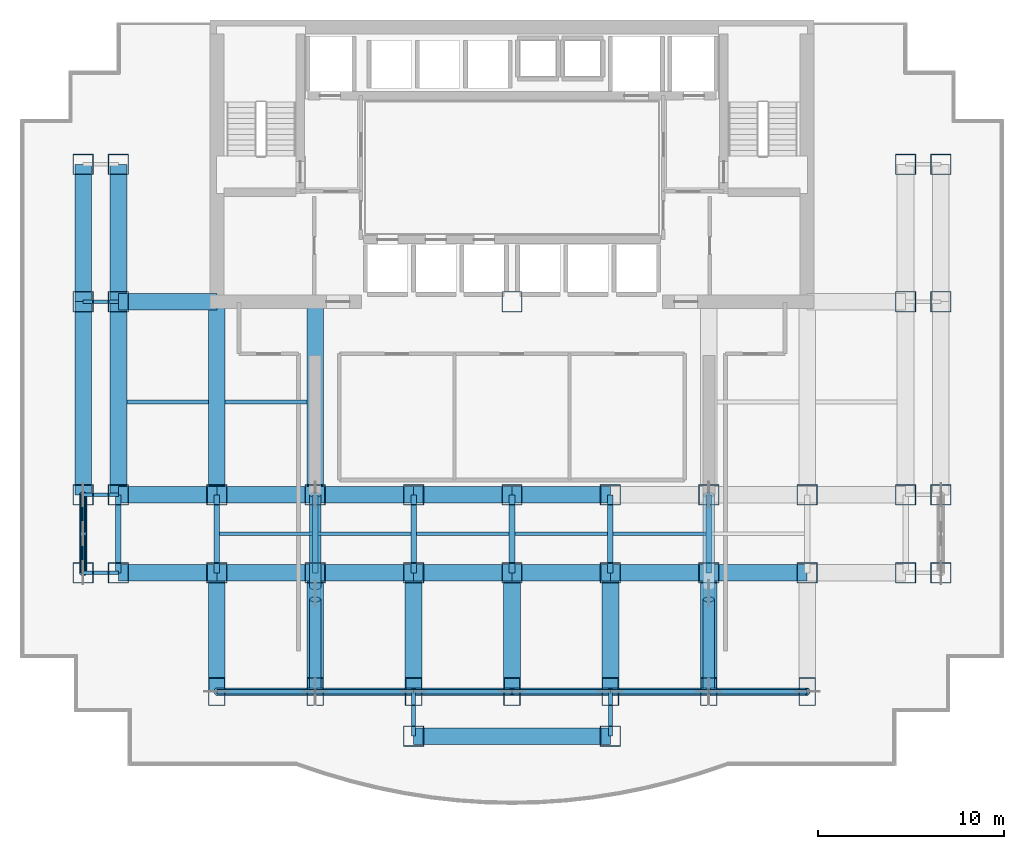
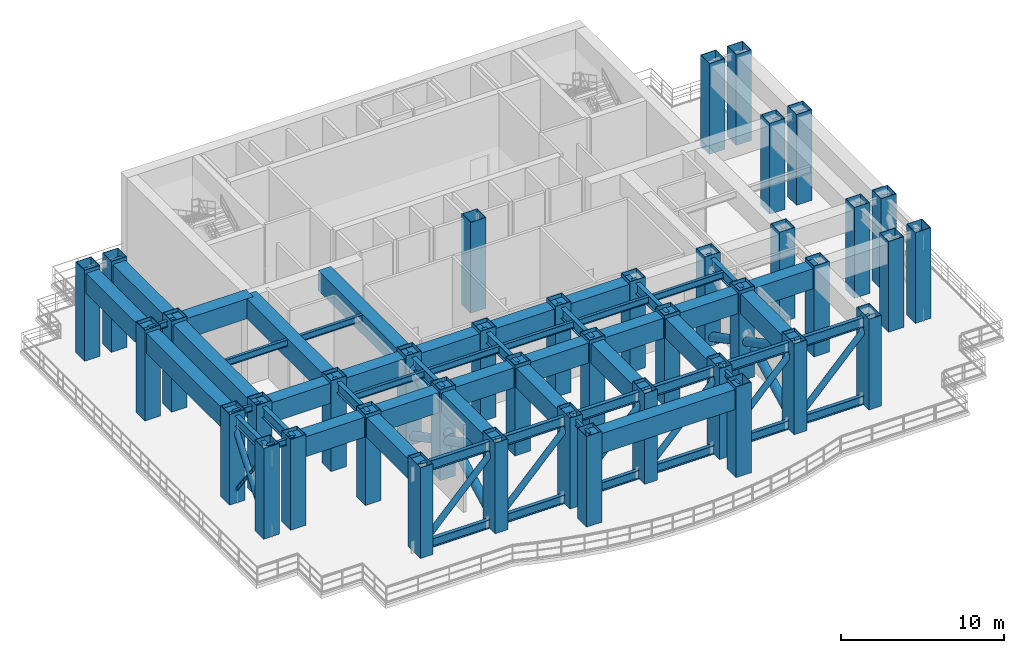
# One storey, part 1 of 7: 52 beams, 40 columns, 20 members.
"""IFC4 building model written with IfcOpenShell, lengths in metres."""

from ifc_helpers import new_model, si_unit, direction, frame, origin, origin_2d, place, context, subcontext, project, spatial, hollow_rectangle, hollow_circle, i_section, extrude, material, material_profile, profile_set, type_object, element, save


model = new_model("IFC4")

# Units and contexts
model_context = context("Model", 3, precision=1e-05, world=origin(), true_north=direction((0.0, 1.0)))
body_context = subcontext(model_context, "Body", "Model", "MODEL_VIEW")
ifc_project = project(units=[si_unit("LENGTHUNIT", "METRE"), si_unit("AREAUNIT", "SQUARE_METRE"), si_unit("VOLUMEUNIT", "CUBIC_METRE"), si_unit("PLANEANGLEUNIT", "RADIAN"), si_unit("MASSUNIT", "GRAM", prefix="KILO")], contexts=[model_context])

# Site, building, storey
site_placement = place(None, origin())
site = spatial("IfcSite", under=ifc_project, at=site_placement, CompositionType="ELEMENT")
building_placement = place(site_placement, origin())
building = spatial("IfcBuilding", under=site, at=building_placement, Name="Qianlan Lanfeng Residences", CompositionType="ELEMENT")
storey_placement = place(building_placement, frame((0.0, 0.0, 70.39990234375)))
storey = spatial("IfcBuildingStorey", under=building, at=storey_placement, Name="L19", CompositionType="ELEMENT", Elevation=70.39990234375)

# Columns
ifc_material_1 = material(Name="Steel SN490B", Category="steel")
ifc_material_profile_1 = material_profile(ifc_material_1, hollow_rectangle(XDim=1.10009765625, YDim=1.10009765625, WallThickness=0.035888671875, at=origin_2d()), Name="BOX 1100x1100x36")
ifc_profile_set_1 = profile_set([ifc_material_profile_1], Name="Steel SN490B")
column_type_1 = type_object("IfcColumnType", Name="C-B1300", PredefinedType="COLUMN", material=ifc_profile_set_1)
for number, where, z_axis, x_axis, name in (
    (1, (26.5, 25.199951171875, 0.0), (0.0, 0.0, 1.0), (1.0, 0.0, 0.0), "L19 Structural Column CP_26.5_25.2"),
    (2, (10.60009765625, 14.800048828125, 0.0), (0.0, 0.0, 1.0), (1.0, 0.0, 0.0), "L19 Structural Column M_10.60_14.80"),
    (3, (10.60009765625, 10.60009765625, 0.0), (0.0, 0.0, 1.0), (1.0, 0.0, 0.0), "L19 Structural Column G_10.60_10.60"),
    (4, (15.89990234375, 14.800048828125, 0.0), (0.0, 0.0, 1.0), (1.0, 0.0, 0.0), "L19 Structural Column M_15.90_14.80"),
    (5, (15.89990234375, 10.60009765625, 0.0), (0.0, 0.0, 1.0), (1.0, 0.0, 0.0), "L19 Structural Column G_15.90_10.60"),
    (6, (21.199951171875, 14.800048828125, 0.0), (0.0, 0.0, 1.0), (1.0, 0.0, 0.0), "L19 Structural Column M_21.20_14.80"),
    (7, (21.199951171875, 10.60009765625, 0.0), (0.0, 0.0, 1.0), (1.0, 0.0, 0.0), "L19 Structural Column G_21.20_10.60"),
    (8, (26.5, 14.800048828125, 0.0), (0.0, 0.0, 1.0), (1.0, 0.0, 0.0), "L19 Structural Column M_26.50_14.80"),
    (9, (26.5, 10.60009765625, 0.0), (0.0, 0.0, 1.0), (1.0, 0.0, 0.0), "L19 Structural Column G_26.50_10.60"),
    (10, (31.800048828125, 14.800048828125, 0.0), (0.0, 0.0, 1.0), (1.0, 0.0, 0.0), "L19 Structural Column M_31.80_14.80"),
    (11, (31.800048828125, 10.60009765625, 0.0), (0.0, 0.0, 1.0), (1.0, 0.0, 0.0), "L19 Structural Column G_31.80_10.60"),
    (12, (37.10009765625, 14.800048828125, 0.0), (0.0, 0.0, 1.0), (1.0, 0.0, 0.0), "L19 Structural Column M_37.10_14.80"),
    (13, (37.10009765625, 10.60009765625, 0.0), (0.0, 0.0, 1.0), (1.0, 0.0, 0.0), "L19 Structural Column G_37.10_10.60"),
    (14, (42.39990234375, 14.800048828125, 0.0), (0.0, 0.0, 1.0), (1.0, 0.0, 0.0), "L19 Structural Column M_42.40_14.80"),
    (15, (42.39990234375, 10.60009765625, 0.0), (0.0, 0.0, 1.0), (1.0, 0.0, 0.0), "L19 Structural Column G_42.40_10.60"),
    (16, (21.199951171875, 1.800048828125, 0.0), (0.0, 0.0, 1.0), (1.0, 0.0, 0.0), "L19 Structural Column P_21.20_1.80"),
    (17, (31.800048828125, 1.800048828125, 0.0), (0.0, 0.0, 1.0), (1.0, 0.0, 0.0), "L19 Structural Column P_31.80_1.80"),
    (18, (3.39990234375, 10.60009765625, 0.0), (0.0, 0.0, 1.0), (1.0, 0.0, 0.0), "L19 Structural Column W_3.40_10.60"),
    (19, (3.39990234375, 14.800048828125, 0.0), (0.0, 0.0, 1.0), (1.0, 0.0, 0.0), "L19 Structural Column W_3.40_14.80"),
    (20, (3.39990234375, 25.199951171875, 0.0), (0.0, 0.0, 1.0), (1.0, 0.0, 0.0), "L19 Structural Column W_3.40_25.20"),
    (21, (3.39990234375, 32.60009765625, 0.0), (0.0, 0.0, 1.0), (1.0, 0.0, 0.0), "L19 Structural Column W_3.40_32.60"),
    (22, (5.300048828125, 10.60009765625, 0.0), (0.0, 0.0, 1.0), (1.0, 0.0, 0.0), "L19 Structural Column W_5.30_10.60"),
    (23, (5.300048828125, 14.800048828125, 0.0), (0.0, 0.0, 1.0), (1.0, 0.0, 0.0), "L19 Structural Column W_5.30_14.80"),
    (24, (5.300048828125, 25.199951171875, 0.0), (0.0, 0.0, 1.0), (1.0, 0.0, 0.0), "L19 Structural Column W_5.30_25.20"),
    (25, (5.300048828125, 32.60009765625, 0.0), (0.0, 0.0, 1.0), (1.0, 0.0, 0.0), "L19 Structural Column W_5.30_32.60"),
    (26, (47.699951171875, 10.60009765625, 0.0), (0.0, 0.0, 1.0), (1.0, 0.0, 0.0), "L19 Structural Column W_47.70_10.60"),
    (27, (47.699951171875, 14.800048828125, 0.0), (0.0, 0.0, 1.0), (1.0, 0.0, 0.0), "L19 Structural Column W_47.70_14.80"),
    (28, (47.699951171875, 25.199951171875, 0.0), (0.0, 0.0, 1.0), (1.0, 0.0, 0.0), "L19 Structural Column W_47.70_25.20"),
    (29, (47.699951171875, 32.60009765625, 0.0), (0.0, 0.0, 1.0), (1.0, 0.0, 0.0), "L19 Structural Column W_47.70_32.60"),
    (30, (49.60009765625, 10.60009765625, 0.0), (0.0, 0.0, 1.0), (1.0, 0.0, 0.0), "L19 Structural Column W_49.60_10.60"),
    (31, (49.60009765625, 14.800048828125, 0.0), (0.0, 0.0, 1.0), (1.0, 0.0, 0.0), "L19 Structural Column W_49.60_14.80"),
    (32, (49.60009765625, 25.199951171875, 0.0), (0.0, 0.0, 1.0), (1.0, 0.0, 0.0), "L19 Structural Column W_49.60_25.20"),
    (33, (49.60009765625, 32.60009765625, 0.0), (0.0, 0.0, 1.0), (1.0, 0.0, 0.0), "L19 Structural Column W_49.60_32.60"),
):
    element("IfcColumn", number, at=place(storey_placement, frame(where, z_axis=z_axis, x_axis=x_axis)), inside=storey, type_object=column_type_1, Name=name, PredefinedType="COLUMN", context=body_context, shape_type="SweptSolid", body=[
        extrude(hollow_rectangle(XDim=1.10009765625, YDim=1.10009765625, WallThickness=0.035888671875, at=origin_2d()), origin(), (0.0, 0.0, 1.0), 6.800048828125),
    ])
ifc_material_profile_2 = material_profile(ifc_material_1, hollow_rectangle(XDim=0.89990234375, YDim=1.5, WallThickness=0.035888671875, at=origin_2d()), Name="BOX 1500x900x36")
ifc_profile_set_2 = profile_set([ifc_material_profile_2], Name="Steel SN490B")
column_type_2 = type_object("IfcColumnType", Name="CE-B1250", PredefinedType="COLUMN", material=ifc_profile_set_2)
for number, where, z_axis, x_axis, name in (
    (34, (10.60009765625, 4.199951171875, 0.0), (0.0, 0.0, 1.0), (1.0, 0.0, 0.0), "L19 Structural Column S_10.60_4.20"),
    (35, (15.89990234375, 4.199951171875, 0.0), (0.0, 0.0, 1.0), (1.0, 0.0, 0.0), "L19 Structural Column S_15.90_4.20"),
    (36, (21.199951171875, 4.199951171875, 0.0), (0.0, 0.0, 1.0), (1.0, 0.0, 0.0), "L19 Structural Column S_21.20_4.20"),
    (37, (26.5, 4.199951171875, 0.0), (0.0, 0.0, 1.0), (1.0, 0.0, 0.0), "L19 Structural Column S_26.50_4.20"),
    (38, (31.800048828125, 4.199951171875, 0.0), (0.0, 0.0, 1.0), (1.0, 0.0, 0.0), "L19 Structural Column S_31.80_4.20"),
    (39, (37.10009765625, 4.199951171875, 0.0), (0.0, 0.0, 1.0), (1.0, 0.0, 0.0), "L19 Structural Column S_37.10_4.20"),
    (40, (42.39990234375, 4.199951171875, 0.0), (0.0, 0.0, 1.0), (1.0, 0.0, 0.0), "L19 Structural Column S_42.40_4.20"),
):
    element("IfcColumn", number, at=place(storey_placement, frame(where, z_axis=z_axis, x_axis=x_axis)), inside=storey, type_object=column_type_2, Name=name, PredefinedType="COLUMN", context=body_context, shape_type="SweptSolid", body=[
        extrude(hollow_rectangle(XDim=0.89990234375, YDim=1.5, WallThickness=0.035888671875, at=origin_2d()), origin(), (0.0, 0.0, 1.0), 6.800048828125),
    ])

# Members
ifc_material_profile_3 = material_profile(ifc_material_1, hollow_circle(Radius=0.203125, WallThickness=0.01611328125, at=origin_2d()), Name="CHS 406.4x16")
ifc_profile_set_3 = profile_set([ifc_material_profile_3], Name="Steel SN490B")
member_type_1 = type_object("IfcMemberType", Name="BB-457", PredefinedType="BRACE", material=ifc_profile_set_3)
for number, where, z_axis, x_axis, name in (
    (41, (10.60009765625, 4.199951171875, 0.35009765625), (0.689963046468, 0.0, 0.723844592789), (0.0, 1.0, 0.0), "L19 South Belt Truss Diagonal 1"),
    (42, (15.89990234375, 4.199951171875, 0.35009765625), (0.689979699081, 0.0, 0.723828719281), (0.0, 1.0, 0.0), "L19 South Belt Truss Diagonal 2"),
    (43, (21.199951171875, 4.199951171875, 0.35009765625), (0.689979699081, 0.0, 0.723828719281), (0.0, 1.0, 0.0), "L19 South Belt Truss Diagonal 3"),
    (44, (26.5, 4.199951171875, 0.35009765625), (0.689979699081, 0.0, 0.723828719281), (0.0, 1.0, 0.0), "L19 South Belt Truss Diagonal 4"),
    (45, (31.800048828125, 4.199951171875, 0.35009765625), (0.689979699081, 0.0, 0.723828719281), (0.0, 1.0, 0.0), "L19 South Belt Truss Diagonal 5"),
    (46, (37.10009765625, 4.199951171875, 0.35009765625), (0.689963046468, 0.0, 0.723844592789), (0.0, 1.0, 0.0), "L19 South Belt Truss Diagonal 6"),
):
    element("IfcMember", number, at=place(storey_placement, frame(where, z_axis=z_axis, x_axis=x_axis)), inside=storey, type_object=member_type_1, Name=name, PredefinedType="BRACE", context=body_context, shape_type="SweptSolid", body=[
        extrude(hollow_circle(Radius=0.203125, WallThickness=0.01611328125, at=origin_2d()), origin(), (0.0, 0.0, 1.0), 7.681396484375),
    ])
member_1_placement = place(storey_placement, frame((3.39990234375, 10.60009765625, 0.35009765625), z_axis=(0.0, 0.602743372314, 0.79793510208), x_axis=(-1.0, 0.0, 0.0)))
element("IfcMember", 47, at=member_1_placement, inside=storey, type_object=member_type_1, Name="L19 W End Portal Continuous Diagonal", PredefinedType="BRACE", context=body_context, shape_type="SweptSolid", body=[
    extrude(hollow_circle(Radius=0.203125, WallThickness=0.01611328125, at=origin_2d()), origin(), (0.0, 0.0, 1.0), 6.968017578125),
])

# Beams
ifc_material_profile_4 = material_profile(ifc_material_1, i_section(OverallWidth=0.300048828125, OverallDepth=0.800048828125, WebThickness=0.01611328125, FlangeThickness=0.028076171875, at=origin_2d()), Name="H 800x300x16x28")
ifc_profile_set_4 = profile_set([ifc_material_profile_4], Name="Steel SN490B")
beam_type_1 = type_object("IfcBeamType", Name="G-950", PredefinedType="BEAM", material=ifc_profile_set_4)
for number, where, z_axis, x_axis, name in (
    (48, (3.39990234375, 10.60009765625, 6.16015625), (0.0, 1.0, 0.0), (-1.0, 0.0, 0.0), "Structural beam G-950"),
    (49, (5.300048828125, 10.60009765625, 6.16015625), (0.0, 1.0, 0.0), (-1.0, 0.0, 0.0), "Structural beam G-950"),
    (50, (10.60009765625, 10.60009765625, 6.16015625), (0.0, 1.0, 0.0), (-1.0, 0.0, 0.0), "Structural beam G-950"),
    (51, (15.89990234375, 10.60009765625, 6.16015625), (0.0, 1.0, 0.0), (-1.0, 0.0, 0.0), "Structural beam G-950"),
    (52, (21.199951171875, 10.60009765625, 6.16015625), (0.0, 1.0, 0.0), (-1.0, 0.0, 0.0), "Structural beam G-950"),
    (53, (26.5, 10.60009765625, 6.16015625), (0.0, 1.0, 0.0), (-1.0, 0.0, 0.0), "Structural beam G-950"),
    (54, (31.800048828125, 10.60009765625, 6.16015625), (0.0, 1.0, 0.0), (-1.0, 0.0, 0.0), "Structural beam G-950"),
    (55, (37.10009765625, 10.60009765625, 6.16015625), (0.0, 1.0, 0.0), (-1.0, 0.0, 0.0), "Structural beam G-950"),
):
    element("IfcBeam", number, at=place(storey_placement, frame(where, z_axis=z_axis, x_axis=x_axis)), inside=storey, type_object=beam_type_1, Name=name, PredefinedType="BEAM", context=body_context, shape_type="SweptSolid", body=[
        extrude(i_section(OverallWidth=0.300048828125, OverallDepth=0.800048828125, WebThickness=0.01611328125, FlangeThickness=0.028076171875, at=origin_2d()), origin(), (0.0, 0.0, 1.0), 4.199951171875),
    ])
ifc_material_profile_5 = material_profile(ifc_material_1, i_section(OverallWidth=0.199951171875, OverallDepth=0.449951171875, WebThickness=0.009033203125, FlangeThickness=0.013916015625, at=origin_2d()), Name="H 450x200x9x14")
ifc_profile_set_5 = profile_set([ifc_material_profile_5], Name="Steel SN490B")
beam_type_2 = type_object("IfcBeamType", Name="J-450", PredefinedType="JOIST", material=ifc_profile_set_5)
for number, where, z_axis, x_axis, name in (
    (56, (3.39990234375, 10.60009765625, 6.335205078125), (1.0, 0.0, 0.0), (0.0, 1.0, 0.0), "Structural beam J-450"),
    (57, (3.39990234375, 14.800048828125, 6.335205078125), (1.0, 0.0, 0.0), (0.0, 1.0, 0.0), "Structural beam J-450"),
    (58, (3.39990234375, 25.199951171875, 6.335205078125), (1.0, 0.0, 0.0), (0.0, 1.0, 0.0), "Structural beam J-450"),
):
    element("IfcBeam", number, at=place(storey_placement, frame(where, z_axis=z_axis, x_axis=x_axis)), inside=storey, type_object=beam_type_2, Name=name, PredefinedType="JOIST", context=body_context, shape_type="SweptSolid", body=[
        extrude(i_section(OverallWidth=0.199951171875, OverallDepth=0.449951171875, WebThickness=0.009033203125, FlangeThickness=0.013916015625, at=origin_2d()), origin(), (0.0, 0.0, 1.0), 1.900146484375),
    ])
for number, where, z_axis, x_axis, name in (
    (59, (21.199951171875, 1.800048828125, 6.335205078125), (0.0, 1.0, 0.0), (-1.0, 0.0, 0.0), "Structural beam J-450"),
    (60, (31.800048828125, 1.800048828125, 6.335205078125), (0.0, 1.0, 0.0), (-1.0, 0.0, 0.0), "Structural beam J-450"),
):
    element("IfcBeam", number, at=place(storey_placement, frame(where, z_axis=z_axis, x_axis=x_axis)), inside=storey, type_object=beam_type_2, Name=name, PredefinedType="JOIST", context=body_context, shape_type="SweptSolid", body=[
        extrude(i_section(OverallWidth=0.199951171875, OverallDepth=0.449951171875, WebThickness=0.009033203125, FlangeThickness=0.013916015625, at=origin_2d()), origin(), (0.0, 0.0, 1.0), 2.39990234375),
    ])
ifc_material_profile_6 = material_profile(ifc_material_1, i_section(OverallWidth=0.199951171875, OverallDepth=0.5, WebThickness=0.010009765625, FlangeThickness=0.01611328125, at=origin_2d()), Name="H 500x200x10x16")
ifc_profile_set_6 = profile_set([ifc_material_profile_6], Name="Steel SN490B")
beam_type_3 = type_object("IfcBeamType", Name="J-500", PredefinedType="JOIST", material=ifc_profile_set_6)
for number, where, z_axis, x_axis, name in (
    (61, (10.75, 12.699951171875, 6.31005859375), (1.0, 0.0, 0.0), (0.0, 1.0, 0.0), "Structural beam J-500"),
    (62, (16.050048828125, 12.699951171875, 6.31005859375), (1.0, 0.0, 0.0), (0.0, 1.0, 0.0), "Structural beam J-500"),
    (63, (21.35009765625, 12.699951171875, 6.31005859375), (1.0, 0.0, 0.0), (0.0, 1.0, 0.0), "Structural beam J-500"),
    (64, (26.64990234375, 12.699951171875, 6.31005859375), (1.0, 0.0, 0.0), (0.0, 1.0, 0.0), "Structural beam J-500"),
    (65, (31.949951171875, 12.699951171875, 6.31005859375), (1.0, 0.0, 0.0), (0.0, 1.0, 0.0), "Structural beam J-500"),
):
    element("IfcBeam", number, at=place(storey_placement, frame(where, z_axis=z_axis, x_axis=x_axis)), inside=storey, type_object=beam_type_3, Name=name, PredefinedType="JOIST", context=body_context, shape_type="SweptSolid", body=[
        extrude(i_section(OverallWidth=0.199951171875, OverallDepth=0.5, WebThickness=0.010009765625, FlangeThickness=0.01611328125, at=origin_2d()), origin(), (0.0, 0.0, 1.0), 5.0),
    ])
for number, where, z_axis, x_axis, name in (
    (66, (5.75, 19.800048828125, 6.31005859375), (1.0, 0.0, 0.0), (0.0, 1.0, 0.0), "Structural beam J-500"),
    (67, (11.050048828125, 19.800048828125, 6.31005859375), (1.0, 0.0, 0.0), (0.0, 1.0, 0.0), "Structural beam J-500"),
):
    element("IfcBeam", number, at=place(storey_placement, frame(where, z_axis=z_axis, x_axis=x_axis)), inside=storey, type_object=beam_type_3, Name=name, PredefinedType="JOIST", context=body_context, shape_type="SweptSolid", body=[
        extrude(i_section(OverallWidth=0.199951171875, OverallDepth=0.5, WebThickness=0.010009765625, FlangeThickness=0.01611328125, at=origin_2d()), origin(), (0.0, 0.0, 1.0), 4.39990234375),
    ])

# Members
ifc_material_profile_7 = material_profile(ifc_material_1, hollow_circle(Radius=0.3046875, WallThickness=0.02490234375, at=origin_2d()), Name="CHS 609.6x25")
ifc_profile_set_7 = profile_set([ifc_material_profile_7], Name="Steel SN490B")
member_type_2 = type_object("IfcMemberType", Name="OB-610", PredefinedType="BRACE", material=ifc_profile_set_7)
member_2_placement = place(storey_placement, frame((15.89990234375, 14.800048828125, 0.35009765625), z_axis=(0.0, -0.885569507727, 0.46450688583), x_axis=(1.0, 0.0, 0.0)))
element("IfcMember", 68, at=member_2_placement, inside=storey, type_object=member_type_2, Name="L19 Outrigger Continuous Diagonal G4-D1", PredefinedType="BRACE", context=body_context, shape_type="SweptSolid", body=[
    extrude(hollow_circle(Radius=0.3046875, WallThickness=0.02490234375, at=origin_2d()), origin(), (0.0, 0.0, 1.0), 11.9697265625),
])
for number, where, z_axis, x_axis, name in (
    (69, (15.89990234375, 14.800048828125, 5.91015625), (0.0, -0.885573074059, -0.464500086654), (1.0, 0.0, 0.0), "L19 Outrigger Split Upper Half-Diagonal G4-D2A"),
    (70, (15.89990234375, 9.16357421875, 2.95361328125), (0.0, -0.885573074059, -0.464500086654), (1.0, 0.0, 0.0), "L19 Outrigger Split Lower Half-Diagonal G4-D2B"),
):
    element("IfcMember", number, at=place(storey_placement, frame(where, z_axis=z_axis, x_axis=x_axis)), inside=storey, type_object=member_type_2, Name=name, PredefinedType="BRACE", context=body_context, shape_type="SweptSolid", body=[
        extrude(hollow_circle(Radius=0.3046875, WallThickness=0.02490234375, at=origin_2d()), origin(), (0.0, 0.0, 1.0), 5.60498046875),
    ])
member_3_placement = place(storey_placement, frame((37.10009765625, 14.800048828125, 0.35009765625), z_axis=(0.0, -0.885569507727, 0.46450688583), x_axis=(1.0, 0.0, 0.0)))
element("IfcMember", 71, at=member_3_placement, inside=storey, type_object=member_type_2, Name="L19 Outrigger Continuous Diagonal G8-D1", PredefinedType="BRACE", context=body_context, shape_type="SweptSolid", body=[
    extrude(hollow_circle(Radius=0.3046875, WallThickness=0.02490234375, at=origin_2d()), origin(), (0.0, 0.0, 1.0), 11.9697265625),
])
member_4_placement = place(storey_placement, frame((37.10009765625, 9.16357421875, 2.95361328125), z_axis=(0.0, -0.885573074059, -0.464500086654), x_axis=(1.0, 0.0, 0.0)))
element("IfcMember", 72, at=member_4_placement, inside=storey, type_object=member_type_2, Name="L19 Outrigger Split Lower Half-Diagonal G8-D2B", PredefinedType="BRACE", context=body_context, shape_type="SweptSolid", body=[
    extrude(hollow_circle(Radius=0.3046875, WallThickness=0.02490234375, at=origin_2d()), origin(), (0.0, 0.0, 1.0), 5.60498046875),
])
ifc_material_profile_8 = material_profile(ifc_material_1, hollow_circle(Radius=0.109619140625, WallThickness=0.010009765625, at=origin_2d()), Name="CHS 219.1x10")
ifc_profile_set_8 = profile_set([ifc_material_profile_8], Name="Steel SN490B")
member_type_3 = type_object("IfcMemberType", Name="PB-273", PredefinedType="STRUT", material=ifc_profile_set_8)
member_5_placement = place(storey_placement, frame((3.39990234375, 14.800048828125, 0.35009765625), z_axis=(0.0, -0.602766012183, 0.797917999895), x_axis=(1.0, 0.0, 0.0)))
element("IfcMember", 73, at=member_5_placement, inside=storey, type_object=member_type_3, Name="L19 W Portal Split Counter-Brace Lower Half", PredefinedType="STRUT", context=body_context, shape_type="SweptSolid", body=[
    extrude(hollow_circle(Radius=0.109619140625, WallThickness=0.010009765625, at=origin_2d()), origin(), (0.0, 0.0, 1.0), 3.243896484375),
])
member_6_placement = place(storey_placement, frame((3.39990234375, 12.555419921875, 3.321533203125), z_axis=(0.0, -0.602729816328, 0.797945341806), x_axis=(1.0, 0.0, 0.0)))
element("IfcMember", 74, at=member_6_placement, inside=storey, type_object=member_type_3, Name="L19 W Portal Split Counter-Brace Upper Half", PredefinedType="STRUT", context=body_context, shape_type="SweptSolid", body=[
    extrude(hollow_circle(Radius=0.109619140625, WallThickness=0.010009765625, at=origin_2d()), origin(), (0.0, 0.0, 1.0), 3.244140625),
])

# Beams
ifc_material_profile_9 = material_profile(ifc_material_1, i_section(OverallWidth=0.25, OverallDepth=0.75, WebThickness=0.013916015625, FlangeThickness=0.02490234375, at=origin_2d()), Name="H 750x250x14x25")
ifc_profile_set_9 = profile_set([ifc_material_profile_9], Name="Steel SN490B")
beam_type_4 = type_object("IfcBeamType", Name="SG-850", PredefinedType="SPANDREL", material=ifc_profile_set_9)
beam_1_placement = place(storey_placement, frame((10.60009765625, 4.199951171875, 6.18505859375), z_axis=(1.0, 0.0, 0.0), x_axis=(0.0, 1.0, 0.0)))
element("IfcBeam", 75, at=beam_1_placement, inside=storey, type_object=beam_type_4, Name="Structural beam SG-850", PredefinedType="SPANDREL", context=body_context, shape_type="SweptSolid", body=[
    extrude(i_section(OverallWidth=0.25, OverallDepth=0.75, WebThickness=0.013916015625, FlangeThickness=0.02490234375, at=origin_2d()), origin(), (0.0, 0.0, 1.0), 5.2998046875),
])
for number, where, z_axis, x_axis, name in (
    (76, (15.89990234375, 4.199951171875, 6.18505859375), (1.0, 0.0, 0.0), (0.0, 1.0, 0.0), "Structural beam SG-850"),
    (77, (21.199951171875, 4.199951171875, 6.18505859375), (1.0, 0.0, 0.0), (0.0, 1.0, 0.0), "Structural beam SG-850"),
    (78, (26.5, 4.199951171875, 6.18505859375), (1.0, 0.0, 0.0), (0.0, 1.0, 0.0), "Structural beam SG-850"),
    (79, (31.800048828125, 4.199951171875, 6.18505859375), (1.0, 0.0, 0.0), (0.0, 1.0, 0.0), "Structural beam SG-850"),
):
    element("IfcBeam", number, at=place(storey_placement, frame(where, z_axis=z_axis, x_axis=x_axis)), inside=storey, type_object=beam_type_4, Name=name, PredefinedType="SPANDREL", context=body_context, shape_type="SweptSolid", body=[
        extrude(i_section(OverallWidth=0.25, OverallDepth=0.75, WebThickness=0.013916015625, FlangeThickness=0.02490234375, at=origin_2d()), origin(), (0.0, 0.0, 1.0), 5.300048828125),
    ])
beam_2_placement = place(storey_placement, frame((37.10009765625, 4.199951171875, 6.18505859375), z_axis=(1.0, 0.0, 0.0), x_axis=(0.0, 1.0, 0.0)))
element("IfcBeam", 80, at=beam_2_placement, inside=storey, type_object=beam_type_4, Name="Structural beam SG-850", PredefinedType="SPANDREL", context=body_context, shape_type="SweptSolid", body=[
    extrude(i_section(OverallWidth=0.25, OverallDepth=0.75, WebThickness=0.013916015625, FlangeThickness=0.02490234375, at=origin_2d()), origin(), (0.0, 0.0, 1.0), 5.2998046875),
])

# Members
ifc_material_profile_10 = material_profile(ifc_material_1, i_section(OverallWidth=0.25, OverallDepth=0.64990234375, WebThickness=0.012939453125, FlangeThickness=0.02197265625, at=origin_2d()), Name="H 650x250x13x22")
ifc_profile_set_10 = profile_set([ifc_material_profile_10], Name="Steel SN490B")
member_type_4 = type_object("IfcMemberType", Name="TC-650", PredefinedType="CHORD", material=ifc_profile_set_10)
member_7_placement = place(storey_placement, frame((10.60009765625, 4.199951171875, 0.35009765625), z_axis=(1.0, 0.0, 0.0), x_axis=(0.0, 1.0, 0.0)))
element("IfcMember", 81, at=member_7_placement, inside=storey, type_object=member_type_4, Name="L19 South Belt Truss Bottom Chord 1", PredefinedType="CHORD", context=body_context, shape_type="SweptSolid", body=[
    extrude(i_section(OverallWidth=0.25, OverallDepth=0.64990234375, WebThickness=0.012939453125, FlangeThickness=0.02197265625, at=origin_2d()), origin(), (0.0, 0.0, 1.0), 5.2998046875),
])
for number, where, z_axis, x_axis, name in (
    (82, (15.89990234375, 4.199951171875, 0.35009765625), (1.0, 0.0, 0.0), (0.0, 1.0, 0.0), "L19 South Belt Truss Bottom Chord 2"),
    (83, (21.199951171875, 4.199951171875, 0.35009765625), (1.0, 0.0, 0.0), (0.0, 1.0, 0.0), "L19 South Belt Truss Bottom Chord 3"),
    (84, (26.5, 4.199951171875, 0.35009765625), (1.0, 0.0, 0.0), (0.0, 1.0, 0.0), "L19 South Belt Truss Bottom Chord 4"),
    (85, (31.800048828125, 4.199951171875, 0.35009765625), (1.0, 0.0, 0.0), (0.0, 1.0, 0.0), "L19 South Belt Truss Bottom Chord 5"),
):
    element("IfcMember", number, at=place(storey_placement, frame(where, z_axis=z_axis, x_axis=x_axis)), inside=storey, type_object=member_type_4, Name=name, PredefinedType="CHORD", context=body_context, shape_type="SweptSolid", body=[
        extrude(i_section(OverallWidth=0.25, OverallDepth=0.64990234375, WebThickness=0.012939453125, FlangeThickness=0.02197265625, at=origin_2d()), origin(), (0.0, 0.0, 1.0), 5.300048828125),
    ])
member_8_placement = place(storey_placement, frame((37.10009765625, 4.199951171875, 0.35009765625), z_axis=(1.0, 0.0, 0.0), x_axis=(0.0, 1.0, 0.0)))
element("IfcMember", 86, at=member_8_placement, inside=storey, type_object=member_type_4, Name="L19 South Belt Truss Bottom Chord 6", PredefinedType="CHORD", context=body_context, shape_type="SweptSolid", body=[
    extrude(i_section(OverallWidth=0.25, OverallDepth=0.64990234375, WebThickness=0.012939453125, FlangeThickness=0.02197265625, at=origin_2d()), origin(), (0.0, 0.0, 1.0), 5.2998046875),
])

# Beams
ifc_material_2 = material(Name="Steel SM570 (420 MPa)", Category="steel")
ifc_material_profile_11 = material_profile(ifc_material_2, hollow_rectangle(XDim=0.89990234375, YDim=1.5, WallThickness=0.035888671875, at=origin_2d()), Name="BOX 1500x900x36")
ifc_profile_set_11 = profile_set([ifc_material_profile_11], Name="Steel SM570 (420 MPa)")
beam_type_5 = type_object("IfcBeamType", Name="TG-1800", PredefinedType="BEAM", material=ifc_profile_set_11)
beam_3_placement = place(storey_placement, frame((21.199951171875, 1.800048828125, 5.81005859375), z_axis=(1.0, 0.0, 0.0), x_axis=(0.0, 1.0, 0.0)))
element("IfcBeam", 87, at=beam_3_placement, inside=storey, type_object=beam_type_5, Name="Structural beam TG-1800", PredefinedType="BEAM", context=body_context, shape_type="SweptSolid", body=[
    extrude(hollow_rectangle(XDim=0.89990234375, YDim=1.5, WallThickness=0.035888671875, at=origin_2d()), origin(), (0.0, 0.0, 1.0), 10.60009765625),
])
beam_4_placement = place(storey_placement, frame((5.300048828125, 10.60009765625, 5.81005859375), z_axis=(1.0, 0.0, 0.0), x_axis=(0.0, 1.0, 0.0)))
element("IfcBeam", 88, at=beam_4_placement, inside=storey, type_object=beam_type_5, Name="Structural beam TG-1800", PredefinedType="BEAM", context=body_context, shape_type="SweptSolid", body=[
    extrude(hollow_rectangle(XDim=0.89990234375, YDim=1.5, WallThickness=0.035888671875, at=origin_2d()), origin(), (0.0, 0.0, 1.0), 5.300048828125),
])
beam_5_placement = place(storey_placement, frame((10.60009765625, 10.60009765625, 5.81005859375), z_axis=(1.0, 0.0, 0.0), x_axis=(0.0, 1.0, 0.0)))
element("IfcBeam", 89, at=beam_5_placement, inside=storey, type_object=beam_type_5, Name="Structural beam TG-1800", PredefinedType="BEAM", context=body_context, shape_type="SweptSolid", body=[
    extrude(hollow_rectangle(XDim=0.89990234375, YDim=1.5, WallThickness=0.035888671875, at=origin_2d()), origin(), (0.0, 0.0, 1.0), 5.2998046875),
])
for number, where, z_axis, x_axis, name in (
    (90, (15.89990234375, 10.60009765625, 5.81005859375), (1.0, 0.0, 0.0), (0.0, 1.0, 0.0), "Structural beam TG-1800"),
    (91, (21.199951171875, 10.60009765625, 5.81005859375), (1.0, 0.0, 0.0), (0.0, 1.0, 0.0), "Structural beam TG-1800"),
    (92, (26.5, 10.60009765625, 5.81005859375), (1.0, 0.0, 0.0), (0.0, 1.0, 0.0), "Structural beam TG-1800"),
    (93, (31.800048828125, 10.60009765625, 5.81005859375), (1.0, 0.0, 0.0), (0.0, 1.0, 0.0), "Structural beam TG-1800"),
):
    element("IfcBeam", number, at=place(storey_placement, frame(where, z_axis=z_axis, x_axis=x_axis)), inside=storey, type_object=beam_type_5, Name=name, PredefinedType="BEAM", context=body_context, shape_type="SweptSolid", body=[
        extrude(hollow_rectangle(XDim=0.89990234375, YDim=1.5, WallThickness=0.035888671875, at=origin_2d()), origin(), (0.0, 0.0, 1.0), 5.300048828125),
    ])
beam_6_placement = place(storey_placement, frame((37.10009765625, 10.60009765625, 5.81005859375), z_axis=(1.0, 0.0, 0.0), x_axis=(0.0, 1.0, 0.0)))
element("IfcBeam", 94, at=beam_6_placement, inside=storey, type_object=beam_type_5, Name="Structural beam TG-1800", PredefinedType="BEAM", context=body_context, shape_type="SweptSolid", body=[
    extrude(hollow_rectangle(XDim=0.89990234375, YDim=1.5, WallThickness=0.035888671875, at=origin_2d()), origin(), (0.0, 0.0, 1.0), 5.2998046875),
])
beam_7_placement = place(storey_placement, frame((5.300048828125, 14.800048828125, 5.81005859375), z_axis=(1.0, 0.0, 0.0), x_axis=(0.0, 1.0, 0.0)))
element("IfcBeam", 95, at=beam_7_placement, inside=storey, type_object=beam_type_5, Name="Structural beam TG-1800", PredefinedType="BEAM", context=body_context, shape_type="SweptSolid", body=[
    extrude(hollow_rectangle(XDim=0.89990234375, YDim=1.5, WallThickness=0.035888671875, at=origin_2d()), origin(), (0.0, 0.0, 1.0), 5.300048828125),
])
beam_8_placement = place(storey_placement, frame((10.60009765625, 14.800048828125, 5.81005859375), z_axis=(1.0, 0.0, 0.0), x_axis=(0.0, 1.0, 0.0)))
element("IfcBeam", 96, at=beam_8_placement, inside=storey, type_object=beam_type_5, Name="Structural beam TG-1800", PredefinedType="BEAM", context=body_context, shape_type="SweptSolid", body=[
    extrude(hollow_rectangle(XDim=0.89990234375, YDim=1.5, WallThickness=0.035888671875, at=origin_2d()), origin(), (0.0, 0.0, 1.0), 5.2998046875),
])
for number, where, z_axis, x_axis, name in (
    (97, (15.89990234375, 14.800048828125, 5.81005859375), (1.0, 0.0, 0.0), (0.0, 1.0, 0.0), "Structural beam TG-1800"),
    (98, (21.199951171875, 14.800048828125, 5.81005859375), (1.0, 0.0, 0.0), (0.0, 1.0, 0.0), "Structural beam TG-1800"),
    (99, (26.5, 14.800048828125, 5.81005859375), (1.0, 0.0, 0.0), (0.0, 1.0, 0.0), "Structural beam TG-1800"),
    (100, (5.300048828125, 25.199951171875, 5.81005859375), (1.0, 0.0, 0.0), (0.0, 1.0, 0.0), "Structural beam TG-1800"),
):
    element("IfcBeam", number, at=place(storey_placement, frame(where, z_axis=z_axis, x_axis=x_axis)), inside=storey, type_object=beam_type_5, Name=name, PredefinedType="BEAM", context=body_context, shape_type="SweptSolid", body=[
        extrude(hollow_rectangle(XDim=0.89990234375, YDim=1.5, WallThickness=0.035888671875, at=origin_2d()), origin(), (0.0, 0.0, 1.0), 5.300048828125),
    ])
beam_9_placement = place(storey_placement, frame((3.39990234375, 14.800048828125, 5.81005859375), z_axis=(0.0, 1.0, 0.0), x_axis=(-1.0, 0.0, 0.0)))
element("IfcBeam", 101, at=beam_9_placement, inside=storey, type_object=beam_type_5, Name="Structural beam TG-1800", PredefinedType="BEAM", context=body_context, shape_type="SweptSolid", body=[
    extrude(hollow_rectangle(XDim=0.89990234375, YDim=1.5, WallThickness=0.035888671875, at=origin_2d()), origin(), (0.0, 0.0, 1.0), 10.39990234375),
])
beam_10_placement = place(storey_placement, frame((3.39990234375, 25.199951171875, 5.81005859375), z_axis=(0.0, 1.0, 0.0), x_axis=(-1.0, 0.0, 0.0)))
element("IfcBeam", 102, at=beam_10_placement, inside=storey, type_object=beam_type_5, Name="Structural beam TG-1800", PredefinedType="BEAM", context=body_context, shape_type="SweptSolid", body=[
    extrude(hollow_rectangle(XDim=0.89990234375, YDim=1.5, WallThickness=0.035888671875, at=origin_2d()), origin(), (0.0, 0.0, 1.0), 7.400146484375),
])
beam_11_placement = place(storey_placement, frame((5.300048828125, 14.800048828125, 5.81005859375), z_axis=(0.0, 1.0, 0.0), x_axis=(-1.0, 0.0, 0.0)))
element("IfcBeam", 103, at=beam_11_placement, inside=storey, type_object=beam_type_5, Name="Structural beam TG-1800", PredefinedType="BEAM", context=body_context, shape_type="SweptSolid", body=[
    extrude(hollow_rectangle(XDim=0.89990234375, YDim=1.5, WallThickness=0.035888671875, at=origin_2d()), origin(), (0.0, 0.0, 1.0), 10.39990234375),
])
beam_12_placement = place(storey_placement, frame((5.300048828125, 25.199951171875, 5.81005859375), z_axis=(0.0, 1.0, 0.0), x_axis=(-1.0, 0.0, 0.0)))
element("IfcBeam", 104, at=beam_12_placement, inside=storey, type_object=beam_type_5, Name="Structural beam TG-1800", PredefinedType="BEAM", context=body_context, shape_type="SweptSolid", body=[
    extrude(hollow_rectangle(XDim=0.89990234375, YDim=1.5, WallThickness=0.035888671875, at=origin_2d()), origin(), (0.0, 0.0, 1.0), 7.400146484375),
])
beam_13_placement = place(storey_placement, frame((10.60009765625, 4.199951171875, 5.81005859375), z_axis=(0.0, 1.0, 0.0), x_axis=(-1.0, 0.0, 0.0)))
element("IfcBeam", 105, at=beam_13_placement, inside=storey, type_object=beam_type_5, Name="Structural beam TG-1800", PredefinedType="BEAM", context=body_context, shape_type="SweptSolid", body=[
    extrude(hollow_rectangle(XDim=0.89990234375, YDim=1.5, WallThickness=0.035888671875, at=origin_2d()), origin(), (0.0, 0.0, 1.0), 6.400146484375),
])
beam_14_placement = place(storey_placement, frame((10.60009765625, 14.800048828125, 5.81005859375), z_axis=(0.0, 1.0, 0.0), x_axis=(-1.0, 0.0, 0.0)))
element("IfcBeam", 106, at=beam_14_placement, inside=storey, type_object=beam_type_5, Name="Structural beam TG-1800", PredefinedType="BEAM", context=body_context, shape_type="SweptSolid", body=[
    extrude(hollow_rectangle(XDim=0.89990234375, YDim=1.5, WallThickness=0.035888671875, at=origin_2d()), origin(), (0.0, 0.0, 1.0), 10.39990234375),
])
beam_15_placement = place(storey_placement, frame((15.89990234375, 4.199951171875, 5.81005859375), z_axis=(0.0, 1.0, 0.0), x_axis=(-1.0, 0.0, 0.0)))
element("IfcBeam", 107, at=beam_15_placement, inside=storey, type_object=beam_type_5, Name="Structural beam TG-1800", PredefinedType="BEAM", context=body_context, shape_type="SweptSolid", body=[
    extrude(hollow_rectangle(XDim=0.89990234375, YDim=1.5, WallThickness=0.035888671875, at=origin_2d()), origin(), (0.0, 0.0, 1.0), 6.400146484375),
])
beam_16_placement = place(storey_placement, frame((15.89990234375, 14.800048828125, 5.81005859375), z_axis=(0.0, 1.0, 0.0), x_axis=(-1.0, 0.0, 0.0)))
element("IfcBeam", 108, at=beam_16_placement, inside=storey, type_object=beam_type_5, Name="Structural beam TG-1800", PredefinedType="BEAM", context=body_context, shape_type="SweptSolid", body=[
    extrude(hollow_rectangle(XDim=0.89990234375, YDim=1.5, WallThickness=0.035888671875, at=origin_2d()), origin(), (0.0, 0.0, 1.0), 10.39990234375),
])
for number, where, z_axis, x_axis, name in (
    (109, (21.199951171875, 4.199951171875, 5.81005859375), (0.0, 1.0, 0.0), (-1.0, 0.0, 0.0), "Structural beam TG-1800"),
    (110, (26.5, 4.199951171875, 5.81005859375), (0.0, 1.0, 0.0), (-1.0, 0.0, 0.0), "Structural beam TG-1800"),
    (111, (31.800048828125, 4.199951171875, 5.81005859375), (0.0, 1.0, 0.0), (-1.0, 0.0, 0.0), "Structural beam TG-1800"),
    (112, (37.10009765625, 4.199951171875, 5.81005859375), (0.0, 1.0, 0.0), (-1.0, 0.0, 0.0), "Structural beam TG-1800"),
):
    element("IfcBeam", number, at=place(storey_placement, frame(where, z_axis=z_axis, x_axis=x_axis)), inside=storey, type_object=beam_type_5, Name=name, PredefinedType="BEAM", context=body_context, shape_type="SweptSolid", body=[
        extrude(hollow_rectangle(XDim=0.89990234375, YDim=1.5, WallThickness=0.035888671875, at=origin_2d()), origin(), (0.0, 0.0, 1.0), 6.400146484375),
    ])

save(model, "model.ifc")
